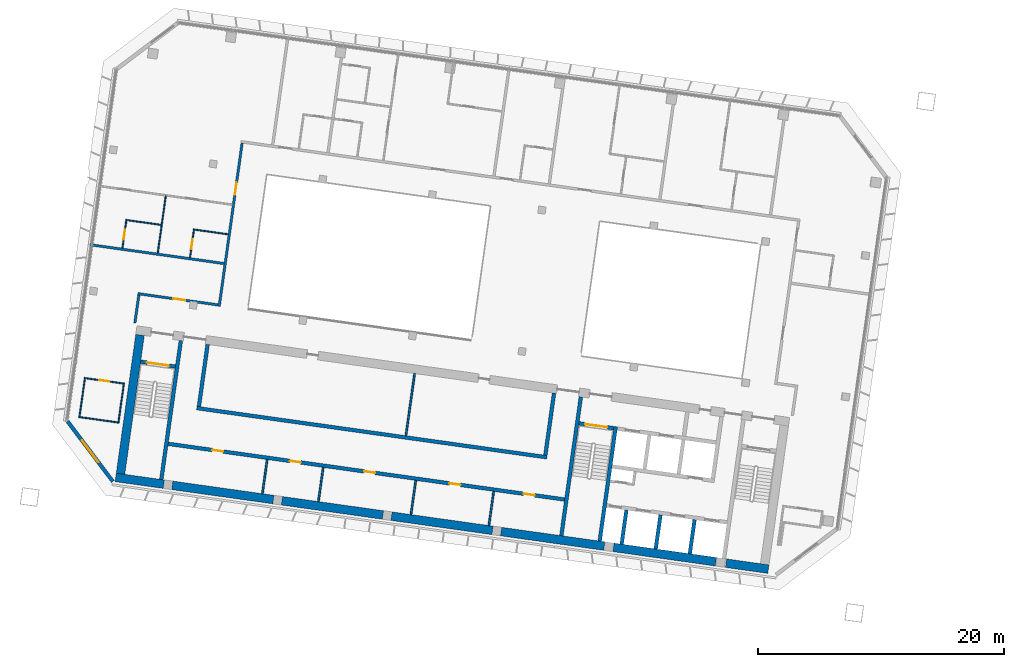
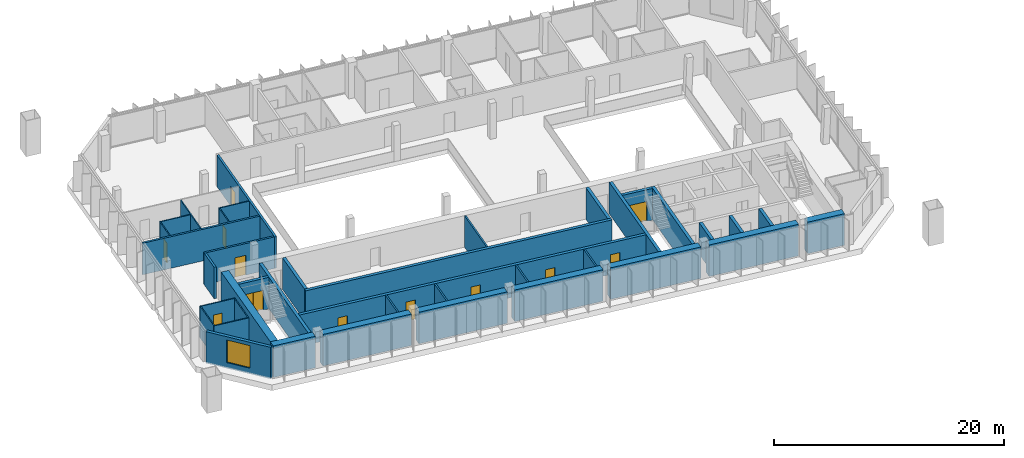
# One storey, part 15 of 25: 39 walls, 12 doors, 1 window, 13 openings.
"""IFC4 building model written with IfcOpenShell, lengths in metres."""

from ifc_helpers import new_model, si_unit, direction, frame, frame_2d, origin, place, context, subcontext, project, spatial, rectangle, extrude, material, layer, layer_set, type_object, element, fill, save


model = new_model("IFC4")

# Units and contexts
model_context = context("Model", 3, precision=1e-05, world=origin(), true_north=direction((0.0, 1.0)))
body_context = subcontext(model_context, "Body", "Model", "MODEL_VIEW")
ifc_project = project(units=[si_unit("LENGTHUNIT", "METRE"), si_unit("AREAUNIT", "SQUARE_METRE"), si_unit("VOLUMEUNIT", "CUBIC_METRE"), si_unit("PLANEANGLEUNIT", "RADIAN"), si_unit("MASSUNIT", "GRAM", prefix="KILO")], contexts=[model_context])

# Site, building, storey
site_placement = place(None, origin())
site = spatial("IfcSite", under=ifc_project, at=site_placement, CompositionType="ELEMENT")
building_placement = place(site_placement, origin())
building = spatial("IfcBuilding", under=site, at=building_placement, Name="Mirante Cascada Hotel Towers", CompositionType="ELEMENT")
storey_placement = place(building_placement, frame((0.0, 0.0, 172.6)))
storey = spatial("IfcBuildingStorey", under=building, at=storey_placement, Name="L40", CompositionType="ELEMENT", Elevation=172.6)

# Wall, opening, door
ifc_material_1 = material(Name="Fire-rated plasterboard on metal studs")
ifc_layer_1 = layer(ifc_material_1, 0.2)
ifc_layer_set_1 = layer_set([ifc_layer_1], Name="Compartment wall 200 EI 120")
wall_type_1 = type_object("IfcWallType", Name="Compartment wall 200 EI 120", PredefinedType="PARTITIONING", material=ifc_layer_set_1)
wall_1_placement = place(storey_placement, frame((-88.5029, 2.7886, 0.0), z_axis=(0.0, 0.0, 1.0), x_axis=(0.990269, -0.1391661, 0.0)))
wall_1 = element("IfcWall", 1, at=wall_1_placement, inside=storey, type_object=wall_type_1, Name="Wall 1-L40-06", PredefinedType="PARTITIONING", context=body_context, shape_type="SweptSolid", body=[
    extrude(rectangle(XDim=6.6, YDim=0.2, at=frame_2d((3.3, 0.0))), origin(), (0.0, 0.0, 1.0), 3.35),
])
opening_1_placement = place(wall_1_placement, frame((2.9, 0.0, 0.0)))
opening_1 = element("IfcOpeningElement", 2, at=opening_1_placement, cuts=wall_1, Name="Opening D1-L40-03", PredefinedType="OPENING", context=body_context, shape_type="SweptSolid", body=[
    extrude(rectangle(XDim=1.0, YDim=2.1, at=frame_2d((0.5, 1.05))), frame((0.0, 0.1, 0.0), z_axis=(0.0, -1.0, 0.0), x_axis=(1.0, 0.0, 0.0)), (0.0, 0.0, 1.0), 0.2),
])
ifc_material_2 = material(Name="Fire-rated timber door leaf", Category="wood")
door_type_1 = type_object("IfcDoorType", Name="Entrance door DG1 1000x2100 EI 60", OperationType="SINGLE_SWING_LEFT", PredefinedType="DOOR", material=ifc_material_2)
door_1_placement = place(opening_1_placement, frame((1.0, 0.0, 0.0), z_axis=(0.0, 0.0, 1.0), x_axis=(-1.0, 0.0, 0.0)))
door_1 = element("IfcDoor", 3, at=door_1_placement, inside=storey, type_object=door_type_1, Name="Door D1-L40-03", OperationType="SINGLE_SWING_RIGHT", OverallHeight=2.1, OverallWidth=1.0, PredefinedType="DOOR", context=body_context, shape_type="SweptSolid", body=[
    extrude(rectangle(XDim=1.0, YDim=2.1, at=frame_2d((0.5, 1.05))), frame((0.0, 0.025, 0.0), z_axis=(0.0, -1.0, 0.0), x_axis=(1.0, 0.0, 0.0)), (0.0, 0.0, 1.0), 0.05),
])
fill(opening_1, door_1)

# Wall
wall_2_placement = place(storey_placement, frame((-81.4939, 5.237, 0.0), z_axis=(0.0, 0.0, 1.0), x_axis=(-0.9902682, 0.1391721, 0.0)))
element("IfcWall", 4, at=wall_2_placement, inside=storey, type_object=wall_type_1, Name="Wall 1-L40-07", PredefinedType="PARTITIONING", context=body_context, shape_type="SweptSolid", body=[
    extrude(rectangle(XDim=11.0001, YDim=0.2, at=frame_2d((5.5, 0.0))), origin(), (0.0, 0.0, 1.0), 3.35),
])

# Wall, opening, door
wall_3_placement = place(storey_placement, frame((-81.882, 1.7571, 0.0), z_axis=(0.0, 0.0, 1.0), x_axis=(0.1391716, 0.9902683, 0.0)))
wall_3 = element("IfcWall", 5, at=wall_3_placement, inside=storey, type_object=wall_type_1, Name="Wall 1-L40-43", PredefinedType="PARTITIONING", context=body_context, shape_type="SweptSolid", body=[
    extrude(rectangle(XDim=13.4, YDim=0.2, at=frame_2d((6.7, 0.0))), origin(), (0.0, 0.0, 1.0), 3.35),
])
opening_2_placement = place(wall_3_placement, frame((9.1833, 0.0, 0.0)))
opening_2 = element("IfcOpeningElement", 6, at=opening_2_placement, cuts=wall_3, Name="Opening D1-L40-25", PredefinedType="OPENING", context=body_context, shape_type="SweptSolid", body=[
    extrude(rectangle(XDim=1.0, YDim=2.1, at=frame_2d((0.5, 1.05))), frame((0.0, 0.1, 0.0), z_axis=(0.0, -1.0, 0.0), x_axis=(1.0, 0.0, 0.0)), (0.0, 0.0, 1.0), 0.2),
])
door_2_placement = place(opening_2_placement, origin())
door_2 = element("IfcDoor", 7, at=door_2_placement, inside=storey, type_object=door_type_1, Name="Door D1-L40-25", OperationType="SINGLE_SWING_LEFT", OverallHeight=2.1, OverallWidth=1.0, PredefinedType="DOOR", context=body_context, shape_type="SweptSolid", body=[
    extrude(rectangle(XDim=1.0, YDim=2.1, at=frame_2d((0.5, 1.05))), frame((0.0, 0.025, 0.0), z_axis=(0.0, -1.0, 0.0), x_axis=(1.0, 0.0, 0.0)), (0.0, 0.0, 1.0), 0.05),
])
fill(opening_2, door_2)

# Walls
wall_4_placement = place(storey_placement, frame((-88.4178, 2.6757, 0.0), z_axis=(0.0, 0.0, 1.0), x_axis=(-0.1391749, -0.9902678, 0.0)))
element("IfcWall", 8, at=wall_4_placement, inside=storey, type_object=wall_type_1, Name="Wall 1-L40-46", PredefinedType="PARTITIONING", context=body_context, shape_type="SweptSolid", body=[
    extrude(rectangle(XDim=2.3, YDim=0.2, at=frame_2d((1.15, 0.0))), origin(), (0.0, 0.0, 1.0), 3.35),
])
ifc_material_3 = material(Name="Masonry block", Category="masonry")
ifc_layer_2 = layer(ifc_material_3, 0.15)
ifc_layer_set_2 = layer_set([ifc_layer_2], Name="Core room partition 150 block EI 30")
wall_type_2 = type_object("IfcWallType", Name="Core room partition 150 block EI 30", PredefinedType="PARTITIONING", material=ifc_layer_set_2)
wall_5_placement = place(storey_placement, frame((-59.9495, -16.0688, 0.0), z_axis=(0.0, 0.0, 1.0), x_axis=(0.139176, 0.9902677, 0.0)))
element("IfcWall", 9, at=wall_5_placement, inside=storey, type_object=wall_type_2, Name="Core wall partition T1 L40 5", PredefinedType="PARTITIONING", context=body_context, shape_type="SweptSolid", body=[
    extrude(rectangle(XDim=2.8001, YDim=0.15, at=frame_2d((1.4, 0.0))), origin(), (0.0, 0.0, 1.0), 3.35),
])
for number, where, z_axis, x_axis, name in (
    (10, (-66.2872, -15.178, 0.0), (0.0, 0.0, 1.0), (0.139181, 0.990267, 0.0), "Core wall partition T1 L40 6"),
    (11, (-73.8132, -14.1203, 0.0), (0.0, 0.0, 1.0), (0.139181, 0.990267, 0.0), "Core wall partition T1 L40 7"),
):
    element("IfcWall", number, at=place(storey_placement, frame(where, z_axis=z_axis, x_axis=x_axis)), inside=storey, type_object=wall_type_2, Name=name, PredefinedType="PARTITIONING", context=body_context, shape_type="SweptSolid", body=[
        extrude(rectangle(XDim=2.8, YDim=0.15, at=frame_2d((1.4, 0.0))), origin(), (0.0, 0.0, 1.0), 3.35),
    ])
wall_6_placement = place(storey_placement, frame((-78.3684, -13.4801, 0.0), z_axis=(0.0, 0.0, 1.0), x_axis=(0.1391459, 0.9902719, 0.0)))
element("IfcWall", 12, at=wall_6_placement, inside=storey, type_object=wall_type_2, Name="Core wall partition T1 L40 8", PredefinedType="PARTITIONING", context=body_context, shape_type="SweptSolid", body=[
    extrude(rectangle(XDim=2.7999, YDim=0.15, at=frame_2d((1.4, 0.0))), origin(), (0.0, 0.0, 1.0), 3.35),
])
wall_7_placement = place(storey_placement, frame((-66.6977, -8.7584, 0.0), z_axis=(0.0, 0.0, 1.0), x_axis=(0.1391782, 0.9902673, 0.0)))
element("IfcWall", 13, at=wall_7_placement, inside=storey, type_object=wall_type_2, Name="Core wall partition T1 L40 9", PredefinedType="PARTITIONING", context=body_context, shape_type="SweptSolid", body=[
    extrude(rectangle(XDim=5.0999, YDim=0.15, at=frame_2d((2.55, 0.0))), origin(), (0.0, 0.0, 1.0), 3.35),
])

# Wall, openings, doors
ifc_material_4 = material(Name="Masonry block", Category="masonry")
ifc_layer_3 = layer(ifc_material_4, 0.3)
ifc_layer_set_3 = layer_set([ifc_layer_3], Name="Core wall 300 block EI 120")
wall_type_3 = type_object("IfcWallType", Name="Core wall 300 block EI 120", PredefinedType="PARTITIONING", material=ifc_layer_set_3)
wall_8_placement = place(storey_placement, frame((-53.7953, -13.9547, 0.0), z_axis=(0.0, 0.0, 1.0), x_axis=(-0.990268, 0.1391733, 0.0)))
wall_8 = element("IfcWall", 14, at=wall_8_placement, inside=storey, type_object=wall_type_3, Name="Core wall partition T1 L40 4", PredefinedType="PARTITIONING", context=body_context, shape_type="SweptSolid", body=[
    extrude(rectangle(XDim=32.5501, YDim=0.3, at=frame_2d((16.275, 0.0))), origin(), (0.0, 0.0, 1.0), 3.35),
])
opening_3_placement = place(wall_8_placement, frame((2.45, 0.0, 0.0)))
opening_3 = element("IfcOpeningElement", 15, at=opening_3_placement, cuts=wall_8, Name="Opening D1-40-C19", PredefinedType="OPENING", context=body_context, shape_type="SweptSolid", body=[
    extrude(rectangle(XDim=0.9, YDim=2.1, at=frame_2d((0.45, 1.05))), frame((0.0, 0.15, 0.0), z_axis=(0.0, -1.0, 0.0), x_axis=(1.0, 0.0, 0.0)), (0.0, 0.0, 1.0), 0.3),
])
opening_4_placement = place(wall_8_placement, frame((8.55, 0.0, 0.0)))
opening_4 = element("IfcOpeningElement", 16, at=opening_4_placement, cuts=wall_8, Name="Opening D1-40-C20", PredefinedType="OPENING", context=body_context, shape_type="SweptSolid", body=[
    extrude(rectangle(XDim=0.9, YDim=2.1, at=frame_2d((0.45, 1.05))), frame((0.0, 0.15, 0.0), z_axis=(0.0, -1.0, 0.0), x_axis=(1.0, 0.0, 0.0)), (0.0, 0.0, 1.0), 0.3),
])
opening_5_placement = place(wall_8_placement, frame((15.55, 0.0, 0.0)))
opening_5 = element("IfcOpeningElement", 17, at=opening_5_placement, cuts=wall_8, Name="Opening D1-40-C21", PredefinedType="OPENING", context=body_context, shape_type="SweptSolid", body=[
    extrude(rectangle(XDim=0.9, YDim=2.1, at=frame_2d((0.45, 1.05))), frame((0.0, 0.15, 0.0), z_axis=(0.0, -1.0, 0.0), x_axis=(1.0, 0.0, 0.0)), (0.0, 0.0, 1.0), 0.3),
])
opening_6_placement = place(wall_8_placement, frame((21.65, 0.0, 0.0)))
opening_6 = element("IfcOpeningElement", 18, at=opening_6_placement, cuts=wall_8, Name="Opening D1-40-C22", PredefinedType="OPENING", context=body_context, shape_type="SweptSolid", body=[
    extrude(rectangle(XDim=0.9, YDim=2.1, at=frame_2d((0.45, 1.05))), frame((0.0, 0.15, 0.0), z_axis=(0.0, -1.0, 0.0), x_axis=(1.0, 0.0, 0.0)), (0.0, 0.0, 1.0), 0.3),
])
opening_7_placement = place(wall_8_placement, frame((28.025, 0.0, 0.0)))
opening_7 = element("IfcOpeningElement", 19, at=opening_7_placement, cuts=wall_8, Name="Opening D1-40-C23", PredefinedType="OPENING", context=body_context, shape_type="SweptSolid", body=[
    extrude(rectangle(XDim=0.9, YDim=2.1, at=frame_2d((0.45, 1.05))), frame((0.0, 0.15, 0.0), z_axis=(0.0, -1.0, 0.0), x_axis=(1.0, 0.0, 0.0)), (0.0, 0.0, 1.0), 0.3),
])
ifc_material_5 = material(Name="Hollow metal fire door leaf")
door_type_2 = type_object("IfcDoorType", Name="Fire door 900x2100 FD60", OperationType="NOTDEFINED", PredefinedType="DOOR", material=ifc_material_5)
door_3_placement = place(opening_3_placement, origin())
door_3 = element("IfcDoor", 20, at=door_3_placement, inside=storey, type_object=door_type_2, Name="Room door T1 L40 19", OperationType="SINGLE_SWING_RIGHT", OverallHeight=2.1, OverallWidth=0.9, PredefinedType="DOOR", context=body_context, shape_type="SweptSolid", body=[
    extrude(rectangle(XDim=0.9, YDim=2.1, at=frame_2d((0.45, 1.05))), frame((0.0, 0.025, 0.0), z_axis=(0.0, -1.0, 0.0), x_axis=(1.0, 0.0, 0.0)), (0.0, 0.0, 1.0), 0.05),
])
fill(opening_3, door_3)
door_4_placement = place(opening_4_placement, origin())
door_4 = element("IfcDoor", 21, at=door_4_placement, inside=storey, type_object=door_type_2, Name="Room door T1 L40 20", OperationType="SINGLE_SWING_RIGHT", OverallHeight=2.1, OverallWidth=0.9, PredefinedType="DOOR", context=body_context, shape_type="SweptSolid", body=[
    extrude(rectangle(XDim=0.9, YDim=2.1, at=frame_2d((0.45, 1.05))), frame((0.0, 0.025, 0.0), z_axis=(0.0, -1.0, 0.0), x_axis=(1.0, 0.0, 0.0)), (0.0, 0.0, 1.0), 0.05),
])
fill(opening_4, door_4)
door_5_placement = place(opening_5_placement, origin())
door_5 = element("IfcDoor", 22, at=door_5_placement, inside=storey, type_object=door_type_2, Name="Room door T1 L40 21", OperationType="SINGLE_SWING_LEFT", OverallHeight=2.1, OverallWidth=0.9, PredefinedType="DOOR", context=body_context, shape_type="SweptSolid", body=[
    extrude(rectangle(XDim=0.9, YDim=2.1, at=frame_2d((0.45, 1.05))), frame((0.0, 0.025, 0.0), z_axis=(0.0, -1.0, 0.0), x_axis=(1.0, 0.0, 0.0)), (0.0, 0.0, 1.0), 0.05),
])
fill(opening_5, door_5)
door_6_placement = place(opening_6_placement, origin())
door_6 = element("IfcDoor", 23, at=door_6_placement, inside=storey, type_object=door_type_2, Name="Room door T1 L40 22", OperationType="SINGLE_SWING_LEFT", OverallHeight=2.1, OverallWidth=0.9, PredefinedType="DOOR", context=body_context, shape_type="SweptSolid", body=[
    extrude(rectangle(XDim=0.9, YDim=2.1, at=frame_2d((0.45, 1.05))), frame((0.0, 0.025, 0.0), z_axis=(0.0, -1.0, 0.0), x_axis=(1.0, 0.0, 0.0)), (0.0, 0.0, 1.0), 0.05),
])
fill(opening_6, door_6)
door_7_placement = place(opening_7_placement, origin())
door_7 = element("IfcDoor", 24, at=door_7_placement, inside=storey, type_object=door_type_2, Name="Room door T1 L40 23", OperationType="SINGLE_SWING_LEFT", OverallHeight=2.1, OverallWidth=0.9, PredefinedType="DOOR", context=body_context, shape_type="SweptSolid", body=[
    extrude(rectangle(XDim=0.9, YDim=2.1, at=frame_2d((0.45, 1.05))), frame((0.0, 0.025, 0.0), z_axis=(0.0, -1.0, 0.0), x_axis=(1.0, 0.0, 0.0)), (0.0, 0.0, 1.0), 0.05),
])
fill(opening_7, door_7)

# Wall
ifc_material_6 = material(Name="Plasterboard on metal studs")
ifc_layer_4 = layer(ifc_material_6, 0.1)
ifc_layer_set_4 = layer_set([ifc_layer_4], Name="Partition 100")
wall_type_4 = type_object("IfcWallType", Name="Partition 100", PredefinedType="PARTITIONING", material=ifc_layer_set_4)
wall_9_placement = place(storey_placement, frame((-93.2955, -7.242, 0.0), z_axis=(0.0, 0.0, 1.0), x_axis=(0.990267, -0.139181, 0.0)))
element("IfcWall", 25, at=wall_9_placement, inside=storey, type_object=wall_type_4, Name="Wall 1-L40-02", PredefinedType="PARTITIONING", context=body_context, shape_type="SweptSolid", body=[
    extrude(rectangle(XDim=3.3, YDim=0.1, at=frame_2d((1.65, 0.0))), origin(), (0.0, 0.0, 1.0), 3.35),
])

# Wall, opening, door
wall_10_placement = place(storey_placement, frame((-92.8502, -4.0731, 0.0), z_axis=(0.0, 0.0, 1.0), x_axis=(0.990267, -0.139181, 0.0)))
wall_10 = element("IfcWall", 26, at=wall_10_placement, inside=storey, type_object=wall_type_4, Name="Wall 1-L40-04", PredefinedType="PARTITIONING", context=body_context, shape_type="SweptSolid", body=[
    extrude(rectangle(XDim=3.3, YDim=0.1, at=frame_2d((1.65, 0.0))), origin(), (0.0, 0.0, 1.0), 3.35),
])
opening_8_placement = place(wall_10_placement, frame((1.25, 0.0, 0.0)))
opening_8 = element("IfcOpeningElement", 27, at=opening_8_placement, cuts=wall_10, Name="Opening D1-L40-02", PredefinedType="OPENING", context=body_context, shape_type="SweptSolid", body=[
    extrude(rectangle(XDim=0.8, YDim=2.1, at=frame_2d((0.4, 1.05))), frame((0.0, 0.05, 0.0), z_axis=(0.0, -1.0, 0.0), x_axis=(1.0, 0.0, 0.0)), (0.0, 0.0, 1.0), 0.1),
])
ifc_material_7 = material(Name="Timber door leaf", Category="wood")
door_type_3 = type_object("IfcDoorType", Name="Bathroom door DG4 800x2100", OperationType="SINGLE_SWING_LEFT", PredefinedType="DOOR", material=ifc_material_7)
door_8_placement = place(opening_8_placement, origin())
door_8 = element("IfcDoor", 28, at=door_8_placement, inside=storey, type_object=door_type_3, Name="Door D1-L40-02", OperationType="SINGLE_SWING_LEFT", OverallHeight=2.1, OverallWidth=0.8, PredefinedType="DOOR", context=body_context, shape_type="SweptSolid", body=[
    extrude(rectangle(XDim=0.8, YDim=2.1, at=frame_2d((0.4, 1.05))), frame((0.0, 0.025, 0.0), z_axis=(0.0, -1.0, 0.0), x_axis=(1.0, 0.0, 0.0)), (0.0, 0.0, 1.0), 0.05),
])
fill(opening_8, door_8)

# Walls
wall_11_placement = place(storey_placement, frame((-83.9822, 8.0103, 0.0), z_axis=(0.0, 0.0, 1.0), x_axis=(0.9902656, -0.1391909, 0.0)))
element("IfcWall", 29, at=wall_11_placement, inside=storey, type_object=wall_type_4, Name="Wall 1-L40-08", PredefinedType="PARTITIONING", context=body_context, shape_type="SweptSolid", body=[
    extrude(rectangle(XDim=2.85, YDim=0.1, at=frame_2d((1.425, 0.0))), origin(), (0.0, 0.0, 1.0), 3.35),
])
wall_12_placement = place(storey_placement, frame((-86.6064, 8.3791, 0.0), z_axis=(0.0, 0.0, 1.0), x_axis=(-0.9902683, 0.1391714, 0.0)))
element("IfcWall", 30, at=wall_12_placement, inside=storey, type_object=wall_type_4, Name="Wall 1-L40-09", PredefinedType="PARTITIONING", context=body_context, shape_type="SweptSolid", body=[
    extrude(rectangle(XDim=2.9, YDim=0.1, at=frame_2d((1.45, 0.0))), origin(), (0.0, 0.0, 1.0), 3.35),
])

# Wall, opening, door
wall_13_placement = place(storey_placement, frame((-83.9396, 7.9538, 0.0), z_axis=(0.0, 0.0, 1.0), x_axis=(-0.1391997, -0.9902643, 0.0)))
wall_13 = element("IfcWall", 31, at=wall_13_placement, inside=storey, type_object=wall_type_4, Name="Wall 1-L40-44", PredefinedType="PARTITIONING", context=body_context, shape_type="SweptSolid", body=[
    extrude(rectangle(XDim=2.25, YDim=0.1, at=frame_2d((1.125, 0.0))), origin(), (0.0, 0.0, 1.0), 3.35),
])
opening_9_placement = place(wall_13_placement, frame((0.75, 0.0, 0.0)))
opening_9 = element("IfcOpeningElement", 32, at=opening_9_placement, cuts=wall_13, Name="Opening D1-L40-26", PredefinedType="OPENING", context=body_context, shape_type="SweptSolid", body=[
    extrude(rectangle(XDim=0.8, YDim=2.1, at=frame_2d((0.4, 1.05))), frame((0.0, 0.05, 0.0), z_axis=(0.0, -1.0, 0.0), x_axis=(1.0, 0.0, 0.0)), (0.0, 0.0, 1.0), 0.1),
])
door_9_placement = place(opening_9_placement, origin())
door_9 = element("IfcDoor", 33, at=door_9_placement, inside=storey, type_object=door_type_3, Name="Door D1-L40-26", OperationType="SINGLE_SWING_LEFT", OverallHeight=2.1, OverallWidth=0.8, PredefinedType="DOOR", context=body_context, shape_type="SweptSolid", body=[
    extrude(rectangle(XDim=0.8, YDim=2.1, at=frame_2d((0.4, 1.05))), frame((0.0, 0.025, 0.0), z_axis=(0.0, -1.0, 0.0), x_axis=(1.0, 0.0, 0.0)), (0.0, 0.0, 1.0), 0.05),
])
fill(opening_9, door_9)

# Walls
wall_14_placement = place(storey_placement, frame((-86.877, 6.0945, 0.0), z_axis=(0.0, 0.0, 1.0), x_axis=(0.139176, 0.9902677, 0.0)))
element("IfcWall", 34, at=wall_14_placement, inside=storey, type_object=wall_type_4, Name="Wall 1-L40-45", PredefinedType="PARTITIONING", context=body_context, shape_type="SweptSolid", body=[
    extrude(rectangle(XDim=4.6833, YDim=0.1, at=frame_2d((2.3416, 0.0))), origin(), (0.0, 0.0, 1.0), 3.35),
])
wall_15_placement = place(storey_placement, frame((-90.0702, -7.6448, 0.0), z_axis=(0.0, 0.0, 1.0), x_axis=(0.1391585, 0.9902701, 0.0)))
element("IfcWall", 35, at=wall_15_placement, inside=storey, type_object=wall_type_4, Name="Wall 1-L40-47", PredefinedType="PARTITIONING", context=body_context, shape_type="SweptSolid", body=[
    extrude(rectangle(XDim=3.1001, YDim=0.1, at=frame_2d((1.55, 0.0))), origin(), (0.0, 0.0, 1.0), 3.35),
])

# Wall, opening, door
wall_16_placement = place(storey_placement, frame((-89.4356, 8.7262, 0.0), z_axis=(0.0, 0.0, 1.0), x_axis=(-0.1391997, -0.9902643, 0.0)))
wall_16 = element("IfcWall", 36, at=wall_16_placement, inside=storey, type_object=wall_type_4, Name="Wall 1-L40-48", PredefinedType="PARTITIONING", context=body_context, shape_type="SweptSolid", body=[
    extrude(rectangle(XDim=2.25, YDim=0.1, at=frame_2d((1.125, 0.0))), origin(), (0.0, 0.0, 1.0), 3.35),
])
opening_10_placement = place(wall_16_placement, frame((0.75, 0.0, 0.0)))
opening_10 = element("IfcOpeningElement", 37, at=opening_10_placement, cuts=wall_16, Name="Opening D1-L40-27", PredefinedType="OPENING", context=body_context, shape_type="SweptSolid", body=[
    extrude(rectangle(XDim=0.8, YDim=2.1, at=frame_2d((0.4, 1.05))), frame((0.0, 0.05, 0.0), z_axis=(0.0, -1.0, 0.0), x_axis=(1.0, 0.0, 0.0)), (0.0, 0.0, 1.0), 0.1),
])
door_10_placement = place(opening_10_placement, origin())
door_10 = element("IfcDoor", 38, at=door_10_placement, inside=storey, type_object=door_type_3, Name="Door D1-L40-27", OperationType="SINGLE_SWING_LEFT", OverallHeight=2.1, OverallWidth=0.8, PredefinedType="DOOR", context=body_context, shape_type="SweptSolid", body=[
    extrude(rectangle(XDim=0.8, YDim=2.1, at=frame_2d((0.4, 1.05))), frame((0.0, 0.025, 0.0), z_axis=(0.0, -1.0, 0.0), x_axis=(1.0, 0.0, 0.0)), (0.0, 0.0, 1.0), 0.05),
])
fill(opening_10, door_10)

# Wall
wall_17_placement = place(storey_placement, frame((-93.2391, -7.1994, 0.0), z_axis=(0.0, 0.0, 1.0), x_axis=(0.1391945, 0.9902651, 0.0)))
element("IfcWall", 39, at=wall_17_placement, inside=storey, type_object=wall_type_4, Name="Wall 1-L40-49", PredefinedType="PARTITIONING", context=body_context, shape_type="SweptSolid", body=[
    extrude(rectangle(XDim=3.1, YDim=0.1, at=frame_2d((1.55, 0.0))), origin(), (0.0, 0.0, 1.0), 3.35),
])

# Wall, opening, window
ifc_material_8 = material(Name="Precast concrete C40/50", Category="concrete")
ifc_layer_5 = layer(ifc_material_8, 0.3)
ifc_layer_set_5 = layer_set([ifc_layer_5], Name="Precast concrete C40/50 cladding wall 300")
wall_type_5 = type_object("IfcWallType", Name="Precast concrete C40/50 cladding wall 300", PredefinedType="STANDARD", material=ifc_layer_set_5)
wall_18_placement = place(storey_placement, frame((-90.5299, -12.4841, 0.0), z_axis=(0.0, 0.0, 1.0), x_axis=(-0.6018063, 0.7986421, 0.0)))
wall_18 = element("IfcWall", 40, at=wall_18_placement, inside=storey, type_object=wall_type_5, Name="Corner cladding wall T1 L40 rear outer", PredefinedType="STANDARD", context=body_context, shape_type="SweptSolid", body=[
    extrude(rectangle(XDim=6.1158, YDim=0.3, at=frame_2d((3.0579, 0.0))), origin(), (0.0, 0.0, 1.0), 3.35),
])
opening_11_placement = place(wall_18_placement, frame((1.9578, 0.0, 0.6)))
opening_11 = element("IfcOpeningElement", 41, at=opening_11_placement, cuts=wall_18, Name="Opening W1-40-01", PredefinedType="OPENING", context=body_context, shape_type="SweptSolid", body=[
    extrude(rectangle(XDim=2.2, YDim=2.4, at=frame_2d((1.1, 1.2))), frame((0.0, 0.15, 0.0), z_axis=(0.0, -1.0, 0.0), x_axis=(1.0, 0.0, 0.0)), (0.0, 0.0, 1.0), 0.3),
])
ifc_material_9 = material(Name="Aluminium frame with clear double glazing", Category="aluminium")
window_type = type_object("IfcWindowType", Name="Corner suite window 2200x2400", PartitioningType="DOUBLE_PANEL_VERTICAL", PredefinedType="WINDOW", material=ifc_material_9)
window_placement = place(opening_11_placement, origin())
window = element("IfcWindow", 42, at=window_placement, inside=storey, type_object=window_type, Name="Window W1-40-01", OverallHeight=2.4, OverallWidth=2.2, PartitioningType="SINGLE_PANEL", PredefinedType="WINDOW", context=body_context, shape_type="SweptSolid", body=[
    extrude(rectangle(XDim=2.2, YDim=2.4, at=frame_2d((1.1, 1.2))), frame((0.0, 0.03, 0.0), z_axis=(0.0, -1.0, 0.0), x_axis=(1.0, 0.0, 0.0)), (0.0, 0.0, 1.0), 0.06),
])
fill(opening_11, window)

# Walls
ifc_material_10 = material(Name="Concrete C50/60", Category="concrete")
ifc_layer_6 = layer(ifc_material_10, 0.3)
ifc_layer_set_6 = layer_set([ifc_layer_6], Name="RC core wall 300 C50/60")
wall_type_6 = type_object("IfcWallType", Name="RC core wall 300 C50/60", PredefinedType="SHEAR", material=ifc_layer_set_6)
wall_19_placement = place(storey_placement, frame((-50.938, -17.3352, 0.0), z_axis=(0.0, 0.0, 1.0), x_axis=(0.1391706, 0.9902684, 0.0)))
element("IfcWall", 43, at=wall_19_placement, inside=storey, type_object=wall_type_6, Name="Core wall T1:L40:6", PredefinedType="SHEAR", context=body_context, shape_type="SweptSolid", body=[
    extrude(rectangle(XDim=9.4, YDim=0.3, at=frame_2d((4.7, 0.0))), origin(), (0.0, 0.0, 1.0), 3.35),
])
wall_20_placement = place(storey_placement, frame((-54.0574, -16.8968, 0.0), z_axis=(0.0, 0.0, 1.0), x_axis=(0.1391761, 0.9902677, 0.0)))
element("IfcWall", 44, at=wall_20_placement, inside=storey, type_object=wall_type_6, Name="Core wall T1:L40:7", PredefinedType="SHEAR", context=body_context, shape_type="SweptSolid", body=[
    extrude(rectangle(XDim=11.3999, YDim=0.3, at=frame_2d((5.7, 0.0))), origin(), (0.0, 0.0, 1.0), 3.35),
])
wall_21_placement = place(storey_placement, frame((-86.5877, -12.325, 0.0), z_axis=(0.0, 0.0, 1.0), x_axis=(0.1391749, 0.9902678, 0.0)))
element("IfcWall", 45, at=wall_21_placement, inside=storey, type_object=wall_type_6, Name="Core wall T1:L40:8", PredefinedType="SHEAR", context=body_context, shape_type="SweptSolid", body=[
    extrude(rectangle(XDim=11.4, YDim=0.3, at=frame_2d((5.7, 0.0))), origin(), (0.0, 0.0, 1.0), 3.35),
])

# Wall, opening, door
wall_22_placement = place(storey_placement, frame((-49.7992, -8.1544, 0.0), z_axis=(0.0, 0.0, 1.0), x_axis=(-0.9902656, 0.1391909, 0.0)))
wall_22 = element("IfcWall", 46, at=wall_22_placement, inside=storey, type_object=wall_type_6, Name="Core wall T1:L40:10", PredefinedType="SHEAR", context=body_context, shape_type="SweptSolid", body=[
    extrude(rectangle(XDim=2.85, YDim=0.3, at=frame_2d((1.425, 0.0))), origin(), (0.0, 0.0, 1.0), 3.35),
])
opening_12_placement = place(wall_22_placement, frame((0.525, 0.0, 0.0)))
opening_12 = element("IfcOpeningElement", 47, at=opening_12_placement, cuts=wall_22, Name="Opening D1-40-C09", PredefinedType="OPENING", context=body_context, shape_type="SweptSolid", body=[
    extrude(rectangle(XDim=1.8, YDim=2.1, at=frame_2d((0.9, 1.05))), frame((0.0, 0.15, 0.0), z_axis=(0.0, -1.0, 0.0), x_axis=(1.0, 0.0, 0.0)), (0.0, 0.0, 1.0), 0.3),
])
ifc_material_11 = material(Name="Hollow metal fire door leaf")
door_type_4 = type_object("IfcDoorType", Name="Double fire door 1800x2100 FD60", OperationType="DOUBLE_DOOR_SINGLE_SWING", PredefinedType="DOOR", material=ifc_material_11)
door_11_placement = place(opening_12_placement, origin())
door_11 = element("IfcDoor", 48, at=door_11_placement, inside=storey, type_object=door_type_4, Name="Stair door T1 L40 9", OperationType="DOUBLE_DOOR_SINGLE_SWING", OverallHeight=2.1, OverallWidth=1.8, PredefinedType="DOOR", context=body_context, shape_type="SweptSolid", body=[
    extrude(rectangle(XDim=0.895, YDim=2.1, at=frame_2d((0.4475, 1.05))), frame((0.0, 0.025, 0.0), z_axis=(0.0, -1.0, 0.0), x_axis=(1.0, 0.0, 0.0)), (0.0, 0.0, 1.0), 0.05),
    extrude(rectangle(XDim=0.895, YDim=2.1, at=frame_2d((1.3525, 1.05))), frame((0.0, 0.025, 0.0), z_axis=(0.0, -1.0, 0.0), x_axis=(1.0, 0.0, 0.0)), (0.0, 0.0, 1.0), 0.05),
])
fill(opening_12, door_11)

wall_23_placement = place(storey_placement, frame((-85.4489, -3.1441, 0.0), z_axis=(0.0, 0.0, 1.0), x_axis=(-0.9902697, 0.1391613, 0.0)))
wall_23 = element("IfcWall", 49, at=wall_23_placement, inside=storey, type_object=wall_type_6, Name="Core wall T1:L40:11", PredefinedType="SHEAR", context=body_context, shape_type="SweptSolid", body=[
    extrude(rectangle(XDim=2.8499, YDim=0.3, at=frame_2d((1.425, 0.0))), origin(), (0.0, 0.0, 1.0), 3.35),
])
opening_13_placement = place(wall_23_placement, frame((0.525, 0.0, 0.0)))
opening_13 = element("IfcOpeningElement", 50, at=opening_13_placement, cuts=wall_23, Name="Opening D1-40-C11", PredefinedType="OPENING", context=body_context, shape_type="SweptSolid", body=[
    extrude(rectangle(XDim=1.8, YDim=2.1, at=frame_2d((0.9, 1.05))), frame((0.0, 0.15, 0.0), z_axis=(0.0, -1.0, 0.0), x_axis=(1.0, 0.0, 0.0)), (0.0, 0.0, 1.0), 0.3),
])
door_12_placement = place(opening_13_placement, origin())
door_12 = element("IfcDoor", 51, at=door_12_placement, inside=storey, type_object=door_type_4, Name="Stair door T1 L40 11", OperationType="DOUBLE_DOOR_SINGLE_SWING", OverallHeight=2.1, OverallWidth=1.8, PredefinedType="DOOR", context=body_context, shape_type="SweptSolid", body=[
    extrude(rectangle(XDim=0.895, YDim=2.1, at=frame_2d((0.4475, 1.05))), frame((0.0, 0.025, 0.0), z_axis=(0.0, -1.0, 0.0), x_axis=(1.0, 0.0, 0.0)), (0.0, 0.0, 1.0), 0.05),
    extrude(rectangle(XDim=0.895, YDim=2.1, at=frame_2d((1.3525, 1.05))), frame((0.0, 0.025, 0.0), z_axis=(0.0, -1.0, 0.0), x_axis=(1.0, 0.0, 0.0)), (0.0, 0.0, 1.0), 0.05),
])
fill(opening_13, door_12)

# Walls
wall_24_placement = place(storey_placement, frame((-43.61, -18.3651, 0.0), z_axis=(0.0, 0.0, 1.0), x_axis=(0.1391459, 0.9902719, 0.0)))
element("IfcWall", 52, at=wall_24_placement, inside=storey, type_object=wall_type_6, Name="Core wall T1:L40:15", PredefinedType="SHEAR", context=body_context, shape_type="SweptSolid", body=[
    extrude(rectangle(XDim=2.7999, YDim=0.3, at=frame_2d((1.4, 0.0))), origin(), (0.0, 0.0, 1.0), 3.35),
])
wall_25_placement = place(storey_placement, frame((-46.3828, -17.9754, 0.0), z_axis=(0.0, 0.0, 1.0), x_axis=(0.139181, 0.990267, 0.0)))
element("IfcWall", 53, at=wall_25_placement, inside=storey, type_object=wall_type_6, Name="Core wall T1:L40:16", PredefinedType="SHEAR", context=body_context, shape_type="SweptSolid", body=[
    extrude(rectangle(XDim=2.8, YDim=0.3, at=frame_2d((1.4, 0.0))), origin(), (0.0, 0.0, 1.0), 3.35),
])
wall_26_placement = place(storey_placement, frame((-49.1555, -17.5857, 0.0), z_axis=(0.0, 0.0, 1.0), x_axis=(0.1391459, 0.9902719, 0.0)))
element("IfcWall", 54, at=wall_26_placement, inside=storey, type_object=wall_type_6, Name="Core wall T1:L40:17", PredefinedType="SHEAR", context=body_context, shape_type="SweptSolid", body=[
    extrude(rectangle(XDim=2.7999, YDim=0.3, at=frame_2d((1.4, 0.0))), origin(), (0.0, 0.0, 1.0), 3.35),
])
wall_27_placement = place(storey_placement, frame((-55.2315, -10.5214, 0.0), z_axis=(0.0, 0.0, 1.0), x_axis=(-0.9902682, 0.1391722, 0.0)))
element("IfcWall", 55, at=wall_27_placement, inside=storey, type_object=wall_type_6, Name="Core wall T1:L40:29", PredefinedType="SHEAR", context=body_context, shape_type="SweptSolid", body=[
    extrude(rectangle(XDim=28.75, YDim=0.3, at=frame_2d((14.375, 0.0))), origin(), (0.0, 0.0, 1.0), 3.35),
])
for number, where, z_axis, x_axis, name in (
    (56, (-55.3592, -10.352, 0.0), (0.0, 0.0, 1.0), (0.1391755, 0.9902677, 0.0), "Core wall T1:L40:30"),
    (57, (-83.5323, -6.3925, 0.0), (0.0, 0.0, 1.0), (0.1391755, 0.9902677, 0.0), "Core wall T1:L40:31"),
):
    element("IfcWall", number, at=place(storey_placement, frame(where, z_axis=z_axis, x_axis=x_axis)), inside=storey, type_object=wall_type_6, Name=name, PredefinedType="SHEAR", context=body_context, shape_type="SweptSolid", body=[
        extrude(rectangle(XDim=5.1, YDim=0.3, at=frame_2d((2.55, 0.0))), origin(), (0.0, 0.0, 1.0), 3.35),
    ])
ifc_material_12 = material(Name="Concrete C50/60", Category="concrete")
ifc_layer_7 = layer(ifc_material_12, 0.7)
ifc_layer_set_7 = layer_set([ifc_layer_7], Name="RC core wall 700 C50/60")
wall_type_7 = type_object("IfcWallType", Name="RC core wall 700 C50/60", PredefinedType="SHEAR", material=ifc_layer_set_7)
wall_28_placement = place(storey_placement, frame((-37.222, -19.6163, 0.0), z_axis=(0.0, 0.0, 1.0), x_axis=(-0.9902697, 0.1391618, 0.0)))
element("IfcWall", 58, at=wall_28_placement, inside=storey, type_object=wall_type_7, Name="Core wall T1:L40:1.1", PredefinedType="SHEAR", context=body_context, shape_type="SweptSolid", body=[
    extrude(rectangle(XDim=3.4765, YDim=0.7, at=frame_2d((1.7382, 0.0))), origin(), (0.0, 0.0, 1.0), 3.35),
])
wall_29_placement = place(storey_placement, frame((-41.4922, -19.0162, 0.0), z_axis=(0.0, 0.0, 1.0), x_axis=(-0.9902681, 0.1391729, 0.0)))
element("IfcWall", 59, at=wall_29_placement, inside=storey, type_object=wall_type_7, Name="Core wall T1:L40:1.2", PredefinedType="SHEAR", context=body_context, shape_type="SweptSolid", body=[
    extrude(rectangle(XDim=8.4011, YDim=0.7, at=frame_2d((4.2006, 0.0))), origin(), (0.0, 0.0, 1.0), 3.35),
])
wall_30_placement = place(storey_placement, frame((-50.5719, -17.7401, 0.0), z_axis=(0.0, 0.0, 1.0), x_axis=(-0.9902688, 0.1391678, 0.0)))
element("IfcWall", 60, at=wall_30_placement, inside=storey, type_object=wall_type_7, Name="Core wall T1:L40:1.3", PredefinedType="SHEAR", context=body_context, shape_type="SweptSolid", body=[
    extrude(rectangle(XDim=8.4689, YDim=0.7, at=frame_2d((4.2344, 0.0))), origin(), (0.0, 0.0, 1.0), 3.35),
])
for number, where, z_axis, x_axis, name in (
    (61, (-59.6516, -16.4641, 0.0), (0.0, 0.0, 1.0), (-0.990267, 0.139181, 0.0), "Core wall T1:L40:1.4"),
    (62, (-68.564, -15.2115, 0.0), (0.0, 0.0, 1.0), (-0.9902686, 0.1391692, 0.0), "Core wall T1:L40:1.5"),
    (63, (-77.4764, -13.9589, 0.0), (0.0, 0.0, 1.0), (-0.9902686, 0.1391692, 0.0), "Core wall T1:L40:1.6"),
):
    element("IfcWall", number, at=place(storey_placement, frame(where, z_axis=z_axis, x_axis=x_axis)), inside=storey, type_object=wall_type_7, Name=name, PredefinedType="SHEAR", context=body_context, shape_type="SweptSolid", body=[
        extrude(rectangle(XDim=8.3, YDim=0.7, at=frame_2d((4.15, 0.0))), origin(), (0.0, 0.0, 1.0), 3.35),
    ])
wall_31_placement = place(storey_placement, frame((-86.3888, -12.7064, 0.0), z_axis=(0.0, 0.0, 1.0), x_axis=(-0.9902694, 0.1391633, 0.0)))
element("IfcWall", 64, at=wall_31_placement, inside=storey, type_object=wall_type_7, Name="Core wall T1:L40:1.7", PredefinedType="SHEAR", context=body_context, shape_type="SweptSolid", body=[
    extrude(rectangle(XDim=3.95, YDim=0.7, at=frame_2d((1.975, 0.0))), origin(), (0.0, 0.0, 1.0), 3.35),
])
wall_32_placement = place(storey_placement, frame((-89.9051, -11.8588, 0.0), z_axis=(0.0, 0.0, 1.0), x_axis=(0.1391749, 0.9902678, 0.0)))
element("IfcWall", 65, at=wall_32_placement, inside=storey, type_object=wall_type_7, Name="Core wall T1:L40:4", PredefinedType="SHEAR", context=body_context, shape_type="SweptSolid", body=[
    extrude(rectangle(XDim=11.4, YDim=0.7, at=frame_2d((5.7, 0.0))), origin(), (0.0, 0.0, 1.0), 3.35),
])

save(model, "model.ifc")
